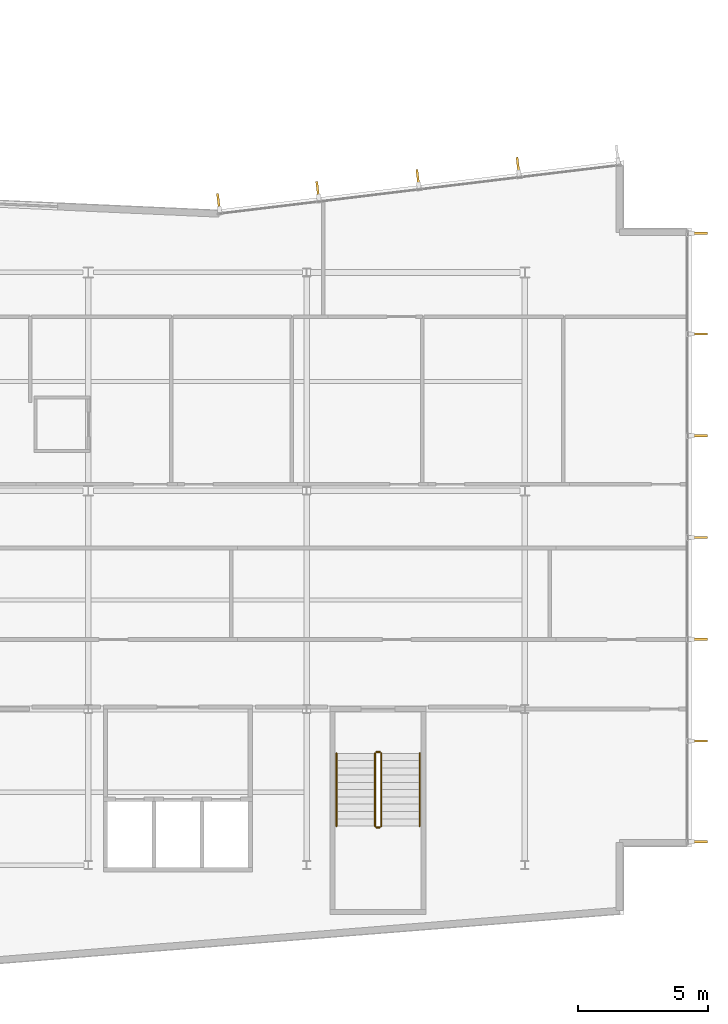
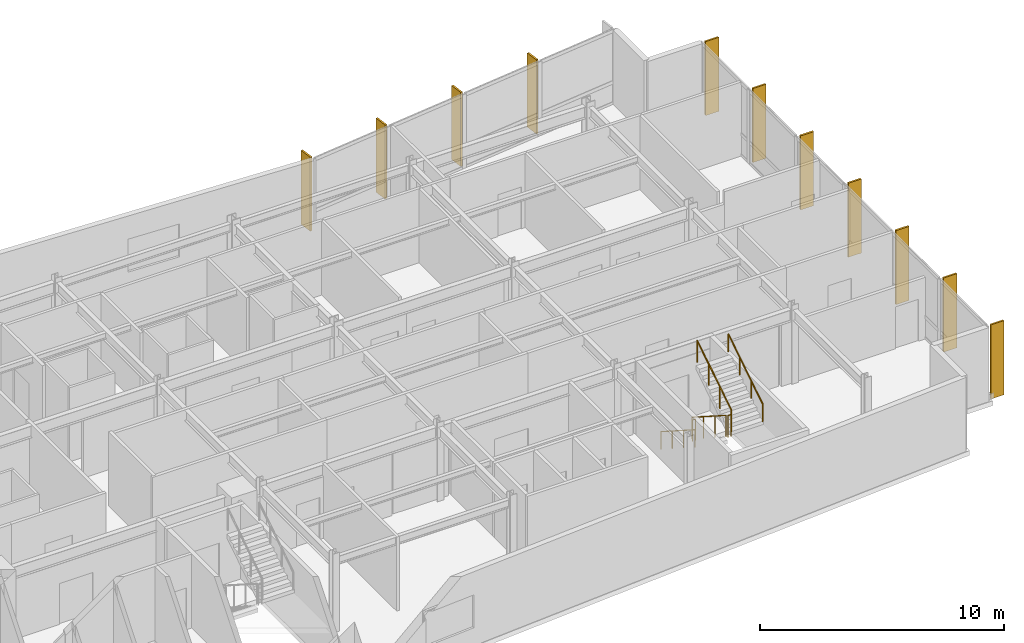
# One storey, part 16 of 18: 11 shading devices, 6 railings.
"""IFC4 building model written with IfcOpenShell, lengths in metres."""

import ifcopenshell
import ifcopenshell.guid

model = None  # the IFC model being written
_history = None  # IfcOwnerHistory: only IFC2X3 demands one
_inside = {}  # id of a spatial element -> (the spatial element, [elements in it])
_under = {}  # id of a project, library or spatial element -> (it, [spatial elements below it])
_declared = {}  # id of a project -> (the project, [libraries it declares])
_typed = {}  # id of a type object -> (the type object, [elements of that type])
_made_of = {}  # id of a material, layer set ... -> (it, [elements and type objects made of it])


def new_model(schema):
    """Start an empty IFC model of exactly this schema.

    Asked for "IFC4X3", IfcOpenShell would pick the latest addendum, in which some entities
    have other attributes; the version numbers below select the first issue.
    IFC2X3 requires an IfcOwnerHistory on every rooted entity: one is made here for all.
    """
    global model, _history
    if schema == "IFC4X3":
        model = ifcopenshell.file(schema_version=(4, 3, 0, 0))
    else:
        model = ifcopenshell.file(schema=schema)
    _inside.clear()
    _under.clear()
    _declared.clear()
    _typed.clear()
    _made_of.clear()
    _history = None
    if model.schema == "IFC2X3":
        org = make("IfcOrganization", Name="unknown")
        user = make(
            "IfcPersonAndOrganization",
            ThePerson=make("IfcPerson", FamilyName="unknown"),
            TheOrganization=org,
        )
        app = make(
            "IfcApplication",
            ApplicationDeveloper=org,
            Version="unknown",
            ApplicationFullName="unknown",
            ApplicationIdentifier="unknown",
        )
        _history = make(
            "IfcOwnerHistory",
            OwningUser=user,
            OwningApplication=app,
            ChangeAction="ADDED",
            CreationDate=0,
        )
    return model


def make(cls, **values):
    """One entity of the class cls with the attributes given. An attribute that is None is left unset."""
    return model.create_entity(
        cls, **{name: value for name, value in values.items() if value is not None}
    )


def rooted(cls, **values):
    """An entity with a GlobalId (a new one), such as an element, a storey or a relation."""
    return make(cls, GlobalId=ifcopenshell.guid.new(), OwnerHistory=_history, **values)


def si_unit(unit_type, name, prefix=None):
    """IfcSIUnit, for example si_unit("LENGTHUNIT", "METRE", prefix="MILLI")."""
    return make("IfcSIUnit", UnitType=unit_type, Prefix=prefix, Name=name)


def assignment(units):
    """IfcUnitAssignment: the units of a project."""
    return None if units is None else make("IfcUnitAssignment", Units=units)


def point(xyz):
    """IfcCartesianPoint."""
    return None if xyz is None else make("IfcCartesianPoint", Coordinates=xyz)


def direction(xyz):
    """IfcDirection."""
    return None if xyz is None else make("IfcDirection", DirectionRatios=xyz)


def frame(location, z_axis=None, x_axis=None):
    """IfcAxis2Placement3D, a coordinate frame: its origin and axes. An axis left out is left unset."""
    return make(
        "IfcAxis2Placement3D",
        Location=point(location),
        Axis=direction(z_axis),
        RefDirection=direction(x_axis),
    )


def frame_2d(location, x_axis=None):
    """IfcAxis2Placement2D, a coordinate frame in the plane: its origin and x axis."""
    return make(
        "IfcAxis2Placement2D", Location=point(location), RefDirection=direction(x_axis)
    )


def origin():
    """The frame at (0, 0, 0) with its axes left unset."""
    return frame((0.0, 0.0, 0.0))


def origin_2d():
    """The frame at (0, 0) in the plane with its x axis left unset."""
    return frame_2d((0.0, 0.0))


def place(relative_to, where):
    """IfcLocalPlacement: puts the frame where relative to a parent placement (None: the world)."""
    return make(
        "IfcLocalPlacement", PlacementRelTo=relative_to, RelativePlacement=where
    )


def context(
    kind, dimensions, precision=None, world=None, true_north=None, identifier=None
):
    """IfcGeometricRepresentationContext, for example the 3D "Model" context."""
    return make(
        "IfcGeometricRepresentationContext",
        ContextIdentifier=identifier,
        ContextType=kind,
        CoordinateSpaceDimension=dimensions,
        Precision=precision,
        WorldCoordinateSystem=world,
        TrueNorth=true_north,
    )


def subcontext(parent, identifier, kind, view, scale=None):
    """IfcGeometricRepresentationSubContext, for example "Body" below "Model"."""
    return make(
        "IfcGeometricRepresentationSubContext",
        ContextIdentifier=identifier,
        ContextType=kind,
        ParentContext=parent,
        TargetScale=scale,
        TargetView=view,
    )


def project(units=None, contexts=None):
    """IfcProject with its units and contexts."""
    return rooted(
        "IfcProject",
        Name="project",
        RepresentationContexts=contexts,
        UnitsInContext=assignment(units),
    )


def spatial(cls, under=None, at=None, **own):
    """A site, building, storey or space (cls), placed at a placement, below another one or the project."""
    s = rooted(cls, ObjectPlacement=at, **own)
    if under is not None:
        _under.setdefault(under.id(), (under, []))[1].append(s)
    return s


def profile(cls, at=None, kind="AREA", **sizes):
    """A parametric profile (cls). Its sizes go by their IFC names, for example OverallWidth=200.0."""
    return make(cls, ProfileType=kind, Position=at, **sizes)


def rectangle(**sizes):
    """IfcRectangleProfileDef."""
    return profile("IfcRectangleProfileDef", **sizes)


def circle(**sizes):
    """IfcCircleProfileDef."""
    return profile("IfcCircleProfileDef", **sizes)


def extrude(swept, where, along, depth):
    """IfcExtrudedAreaSolid: the profile swept, set in the frame where, extruded along a direction by depth."""
    return make(
        "IfcExtrudedAreaSolid",
        SweptArea=swept,
        Position=where,
        ExtrudedDirection=direction(along),
        Depth=depth,
    )


def shape(context_of_items, identifier, shape_type, items):
    """IfcShapeRepresentation: the items that make up one representation, for example the "Body"."""
    return make(
        "IfcShapeRepresentation",
        ContextOfItems=context_of_items,
        RepresentationIdentifier=identifier,
        RepresentationType=shape_type,
        Items=items,
    )


def material(Name=None, Category=None):
    """IfcMaterial."""
    return make("IfcMaterial", Name=Name, Category=Category)


def layer(
    of_material, thickness, ventilated=None, Name=None, Category=None, Priority=None
):
    """IfcMaterialLayer: one layer of a wall or slab, of a material (None: an air gap)."""
    return make(
        "IfcMaterialLayer",
        Material=of_material,
        LayerThickness=thickness,
        IsVentilated=ventilated,
        Name=Name,
        Category=Category,
        Priority=Priority,
    )


def layer_set(layers, Name=None):
    """IfcMaterialLayerSet."""
    return make("IfcMaterialLayerSet", MaterialLayers=layers, LayerSetName=Name)


def made_of(thing, what):
    """Note that an element or type object is made of a material, layer set ...; save() writes the relation."""
    if what is not None:
        _made_of.setdefault(what.id(), (what, []))[1].append(thing)
    return thing


def type_object(cls, material=None, **own):
    """A type object (cls), such as IfcWallType, which elements share."""
    return made_of(rooted(cls, **own), material)


def element(
    cls,
    number,
    at=None,
    inside=None,
    cuts=None,
    type_object=None,
    material=None,
    context=None,
    identifier="Body",
    shape_type=None,
    held_by="IfcProductDefinitionShape",
    body=None,
    shapes=None,
    **own,
):
    """One element of the class cls, such as IfcWall. Its Tag is "e" and its number.

    at: its placement. inside: the storey or other place that contains it. cuts: it is an
    opening in that element (IfcRelVoidsElement). A single representation is given by context,
    identifier, shape_type and body (its items); several are given by shapes. held_by: the class
    of the entity that holds the representations. save() writes the other relations.
    """
    e = rooted(cls, Tag="e%d" % number, ObjectPlacement=at, **own)
    if body is not None:
        shapes = [shape(context, identifier, shape_type, body)]
    if shapes is not None:
        e.Representation = make(held_by, Representations=shapes)
    if inside is not None:
        _inside.setdefault(inside.id(), (inside, []))[1].append(e)
    if cuts is not None:
        rooted(
            "IfcRelVoidsElement", RelatingBuildingElement=cuts, RelatedOpeningElement=e
        )
    if type_object is not None:
        _typed.setdefault(type_object.id(), (type_object, []))[1].append(e)
    return made_of(e, material)


def aggregate(whole, parts):
    """IfcRelAggregates: a whole, such as a stair, and the parts it consists of."""
    return rooted("IfcRelAggregates", RelatingObject=whole, RelatedObjects=parts)


def save(model, path):
    """Write the relations noted so far, then the file.

    IfcRelAggregates (storeys below a building ...), IfcRelContainedInSpatialStructure (elements
    in a storey), IfcRelDefinesByType, IfcRelAssociatesMaterial and IfcRelDeclares: one each for
    every whole, place, type object, material and project.
    """
    for whole, parts in _under.values():
        aggregate(whole, parts)
    for where, things in _inside.values():
        rooted(
            "IfcRelContainedInSpatialStructure",
            RelatedElements=things,
            RelatingStructure=where,
        )
    for kind, things in _typed.values():
        rooted("IfcRelDefinesByType", RelatedObjects=things, RelatingType=kind)
    for what, things in _made_of.values():
        rooted("IfcRelAssociatesMaterial", RelatedObjects=things, RelatingMaterial=what)
    for by, libraries in _declared.values():
        rooted("IfcRelDeclares", RelatingContext=by, RelatedDefinitions=libraries)
    model.write(path)


model = new_model("IFC4")

# Units and contexts
model_context = context("Model", 3, precision=1e-05, world=origin(), true_north=direction((0.0, 1.0)))
body_context = subcontext(model_context, "Body", "Model", "MODEL_VIEW")
ifc_project = project(units=[si_unit("LENGTHUNIT", "METRE"), si_unit("AREAUNIT", "SQUARE_METRE"), si_unit("VOLUMEUNIT", "CUBIC_METRE"), si_unit("PLANEANGLEUNIT", "RADIAN"), si_unit("MASSUNIT", "GRAM", prefix="KILO")], contexts=[model_context])

# Site, building, storey
site_placement = place(None, origin())
site = spatial("IfcSite", under=ifc_project, at=site_placement, CompositionType="ELEMENT")
building_placement = place(site_placement, origin())
building = spatial("IfcBuilding", under=site, at=building_placement, Name="Varnakote Quay Hospital", CompositionType="ELEMENT")
storey_placement = place(building_placement, frame((0.0, 0.0, 123.10009765625)))
storey = spatial("IfcBuildingStorey", under=building, at=storey_placement, Name="L30", CompositionType="ELEMENT", Elevation=123.10009765625)

# Railings
ifc_material_1 = material(Name="Brushed stainless steel balustrade", Category="steel")
railing_type_1 = type_object("IfcRailingType", Name="RLG-STAIR-GUARD-1150", PredefinedType="GUARDRAIL", material=ifc_material_1)
railing_1_placement = place(storey_placement, frame((44.6298828125, 10.300048828125, 0.179443359375)))
element("IfcRailing", 1, at=railing_1_placement, inside=storey, type_object=railing_type_1, Name="L30 ST-03 stair guard 1", PredefinedType="GUARDRAIL", context=body_context, shape_type="SweptSolid", body=[
    extrude(circle(Radius=0.02392578125, at=origin_2d()), frame((0.0, 0.0, 1.076171875), z_axis=(0.0, -0.841809871826, 0.539774156196), x_axis=(1.0, 0.0, 0.0)), (0.0, 0.0, 1.0), 3.326171875),
    extrude(circle(Radius=0.02099609375, at=origin_2d()), origin(), (0.0, 0.0, 1.0), 1.052001953125),
    extrude(circle(Radius=0.02099609375, at=origin_2d()), frame((0.0, -0.933349609375, 0.598388671875)), (0.0, 0.0, 1.0), 1.052001953125),
    extrude(circle(Radius=0.02099609375, at=origin_2d()), frame((0.0, -1.86669921875, 1.197021484375)), (0.0, 0.0, 1.0), 1.052001953125),
    extrude(circle(Radius=0.02099609375, at=origin_2d()), frame((0.0, -2.800048828125, 1.79541015625)), (0.0, 0.0, 1.0), 1.052001953125),
])
railing_2_placement = place(storey_placement, frame((44.679931640625, 7.449951171875, 1.974853515625)))
element("IfcRailing", 2, at=railing_2_placement, inside=storey, type_object=railing_type_1, Name="L30 ST-03 stair guard 2", PredefinedType="GUARDRAIL", context=body_context, shape_type="SweptSolid", body=[
    extrude(circle(Radius=0.02392578125, at=origin_2d()), frame((0.0, 0.0, 1.076171875), z_axis=(1.0, 0.0, 0.0), x_axis=(0.0, 1.0, 0.0)), (0.0, 0.0, 1.0), 0.14013671875),
    extrude(circle(Radius=0.02099609375, at=origin_2d()), origin(), (0.0, 0.0, 1.0), 1.052001953125),
    extrude(circle(Radius=0.02099609375, at=origin_2d()), frame((0.14013671875, 0.0, 0.0)), (0.0, 0.0, 1.0), 1.052001953125),
])
railing_3_placement = place(storey_placement, frame((44.8701171875, 7.5, 2.154541015625)))
element("IfcRailing", 3, at=railing_3_placement, inside=storey, type_object=railing_type_1, Name="L30 ST-03 stair guard 3", PredefinedType="GUARDRAIL", context=body_context, shape_type="SweptSolid", body=[
    extrude(circle(Radius=0.02392578125, at=origin_2d()), frame((0.0, 0.0, 1.076171875), z_axis=(0.0, 0.841809871826, 0.539774156196), x_axis=(-1.0, 0.0, 0.0)), (0.0, 0.0, 1.0), 3.326171875),
    extrude(circle(Radius=0.02099609375, at=origin_2d()), origin(), (0.0, 0.0, 1.0), 1.052001953125),
    extrude(circle(Radius=0.02099609375, at=origin_2d()), frame((0.0, 0.933349609375, 0.598388671875)), (0.0, 0.0, 1.0), 1.052001953125),
    extrude(circle(Radius=0.02099609375, at=origin_2d()), frame((0.0, 1.86669921875, 1.197021484375)), (0.0, 0.0, 1.0), 1.052001953125),
    extrude(circle(Radius=0.02099609375, at=origin_2d()), frame((0.0, 2.800048828125, 1.79541015625)), (0.0, 0.0, 1.0), 1.052001953125),
])
railing_4_placement = place(storey_placement, frame((44.679931640625, 10.35009765625, 0.0)))
element("IfcRailing", 4, at=railing_4_placement, inside=storey, type_object=railing_type_1, Name="L30 ST-03 stair guard 4", PredefinedType="GUARDRAIL", context=body_context, shape_type="SweptSolid", body=[
    extrude(circle(Radius=0.02392578125, at=origin_2d()), frame((0.0, 0.0, 1.076171875), z_axis=(1.0, 0.0, 0.0), x_axis=(0.0, 1.0, 0.0)), (0.0, 0.0, 1.0), 0.14013671875),
    extrude(circle(Radius=0.02099609375, at=origin_2d()), origin(), (0.0, 0.0, 1.0), 1.052001953125),
    extrude(circle(Radius=0.02099609375, at=origin_2d()), frame((0.14013671875, 0.0, 0.0)), (0.0, 0.0, 1.0), 1.052001953125),
])
ifc_material_2 = material(Name="Brushed stainless steel handrail", Category="steel")
railing_type_2 = type_object("IfcRailingType", Name="RLG-STAIR-HND-920", PredefinedType="HANDRAIL", material=ifc_material_2)
railing_5_placement = place(storey_placement, frame((43.14990234375, 10.300048828125, 0.179443359375)))
element("IfcRailing", 5, at=railing_5_placement, inside=storey, type_object=railing_type_2, Name="L30 ST-03 stair handrail 1", PredefinedType="HANDRAIL", context=body_context, shape_type="SweptSolid", body=[
    extrude(circle(Radius=0.02392578125, at=origin_2d()), frame((0.0, 0.0, 0.8759765625), z_axis=(0.0, -0.841809871826, 0.539774156196), x_axis=(1.0, 0.0, 0.0)), (0.0, 0.0, 1.0), 3.326171875),
    extrude(circle(Radius=0.02099609375, at=origin_2d()), origin(), (0.0, 0.0, 1.0), 0.851806640625),
    extrude(circle(Radius=0.02099609375, at=origin_2d()), frame((0.0, -0.933349609375, 0.598388671875)), (0.0, 0.0, 1.0), 0.851806640625),
    extrude(circle(Radius=0.02099609375, at=origin_2d()), frame((0.0, -1.86669921875, 1.197021484375)), (0.0, 0.0, 1.0), 0.851806640625),
    extrude(circle(Radius=0.02099609375, at=origin_2d()), frame((0.0, -2.800048828125, 1.79541015625)), (0.0, 0.0, 1.0), 0.851806640625),
])
railing_6_placement = place(storey_placement, frame((46.35009765625, 7.5, 2.154541015625)))
element("IfcRailing", 6, at=railing_6_placement, inside=storey, type_object=railing_type_2, Name="L30 ST-03 stair handrail 2", PredefinedType="HANDRAIL", context=body_context, shape_type="SweptSolid", body=[
    extrude(circle(Radius=0.02392578125, at=origin_2d()), frame((0.0, 0.0, 0.8759765625), z_axis=(0.0, 0.841809871826, 0.539774156196), x_axis=(-1.0, 0.0, 0.0)), (0.0, 0.0, 1.0), 3.326171875),
    extrude(circle(Radius=0.02099609375, at=origin_2d()), origin(), (0.0, 0.0, 1.0), 0.851806640625),
    extrude(circle(Radius=0.02099609375, at=origin_2d()), frame((0.0, 0.933349609375, 0.598388671875)), (0.0, 0.0, 1.0), 0.851806640625),
    extrude(circle(Radius=0.02099609375, at=origin_2d()), frame((0.0, 1.86669921875, 1.197021484375)), (0.0, 0.0, 1.0), 0.851806640625),
    extrude(circle(Radius=0.02099609375, at=origin_2d()), frame((0.0, 2.800048828125, 1.79541015625)), (0.0, 0.0, 1.0), 0.851806640625),
])

# Shading devices
ifc_material_3 = material(Name="Anodised aluminium 6063-T6 Bronze", Category="aluminium")
ifc_layer = layer(ifc_material_3, 0.0849609375)
ifc_layer_set = layer_set([ifc_layer], Name="Anodised aluminium 6063-T6 Bronze")
shading_device_type = type_object("IfcShadingDeviceType", Name="SHD-BRONZE-FIN-620", PredefinedType="USERDEFINED", material=ifc_layer_set)
for number, where, z_axis, x_axis, name in (
    (7, (57.110107421875, 6.8974609375, 0.0), (0.0, 0.0, 1.0), (-1.0, 0.0, 0.0), "L30 Anodised Bronze Vertical Shading FIN"),
    (8, (57.110107421875, 10.773193359375, 0.0), (0.0, 0.0, 1.0), (-1.0, 0.0, 0.0), "L30 Anodised Bronze Vertical Shading FIN"),
    (9, (57.110107421875, 14.686767578125, 0.0), (0.0, 0.0, 1.0), (-1.0, 0.0, 0.0), "L30 Anodised Bronze Vertical Shading FIN"),
    (10, (57.110107421875, 18.60009765625, 0.0), (0.0, 0.0, 1.0), (-1.0, 0.0, 0.0), "L30 Anodised Bronze Vertical Shading FIN"),
    (11, (57.110107421875, 22.51318359375, 0.0), (0.0, 0.0, 1.0), (-1.0, 0.0, 0.0), "L30 Anodised Bronze Vertical Shading FIN"),
    (12, (57.110107421875, 26.4267578125, 0.0), (0.0, 0.0, 1.0), (-1.0, 0.0, 0.0), "L30 Anodised Bronze Vertical Shading FIN"),
    (13, (57.110107421875, 30.302490234375, 0.0), (0.0, 0.0, 1.0), (-1.0, 0.0, 0.0), "L30 Anodised Bronze Vertical Shading FIN"),
    (14, (50.131103515625, 32.9189453125, 0.0), (0.0, 0.0, 1.0), (0.120310105847, -0.992736358975, 0.0), "L30 Anodised Bronze Vertical Shading FIN"),
    (15, (46.278564453125, 32.4521484375, 0.0), (0.0, 0.0, 1.0), (0.120310105847, -0.992736358975, 0.0), "L30 Anodised Bronze Vertical Shading FIN"),
    (16, (42.426025390625, 31.985107421875, 0.0), (0.0, 0.0, 1.0), (0.120310105847, -0.992736358975, 0.0), "L30 Anodised Bronze Vertical Shading FIN"),
    (17, (38.61083984375, 31.522705078125, 0.0), (0.0, 0.0, 1.0), (0.120310105847, -0.992736358975, 0.0), "L30 Anodised Bronze Vertical Shading FIN"),
):
    element("IfcShadingDevice", number, at=place(storey_placement, frame(where, z_axis=z_axis, x_axis=x_axis)), inside=storey, type_object=shading_device_type, Name=name, ObjectType="FIN", PredefinedType="USERDEFINED", context=body_context, shape_type="SweptSolid", body=[
        extrude(rectangle(XDim=0.6201171875, YDim=0.0849609375, at=origin_2d()), origin(), (0.0, 0.0, 1.0), 3.7099609375),
    ])

save(model, "model.ifc")
